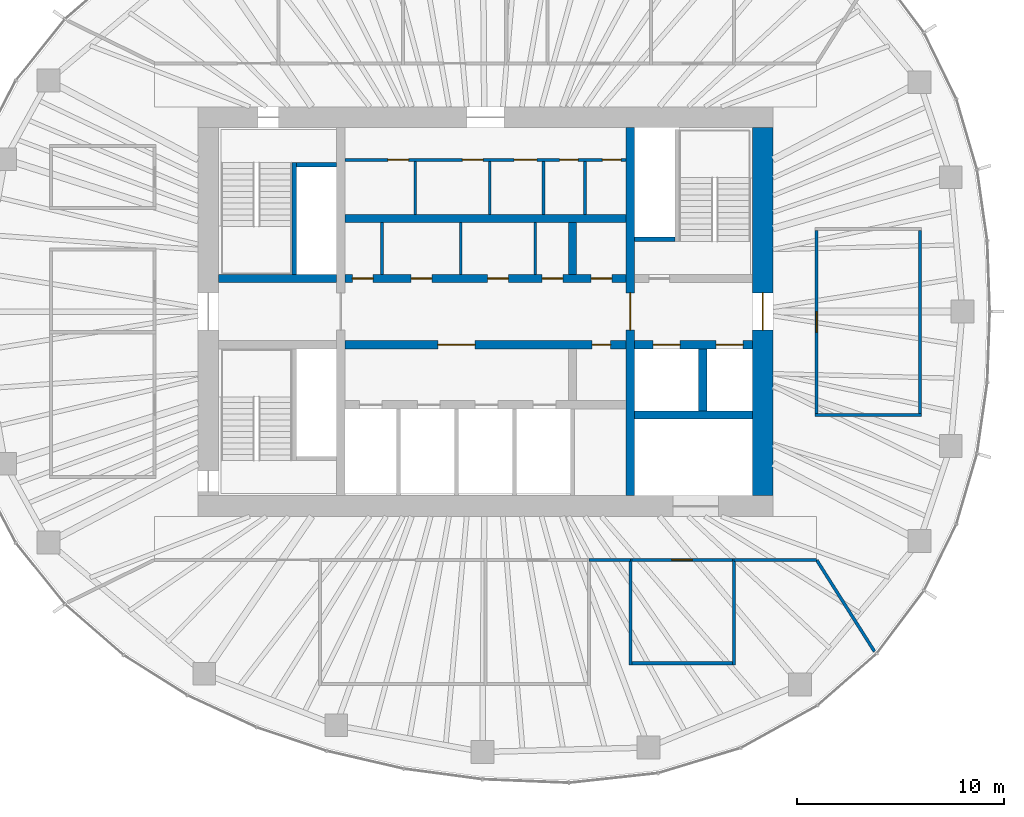
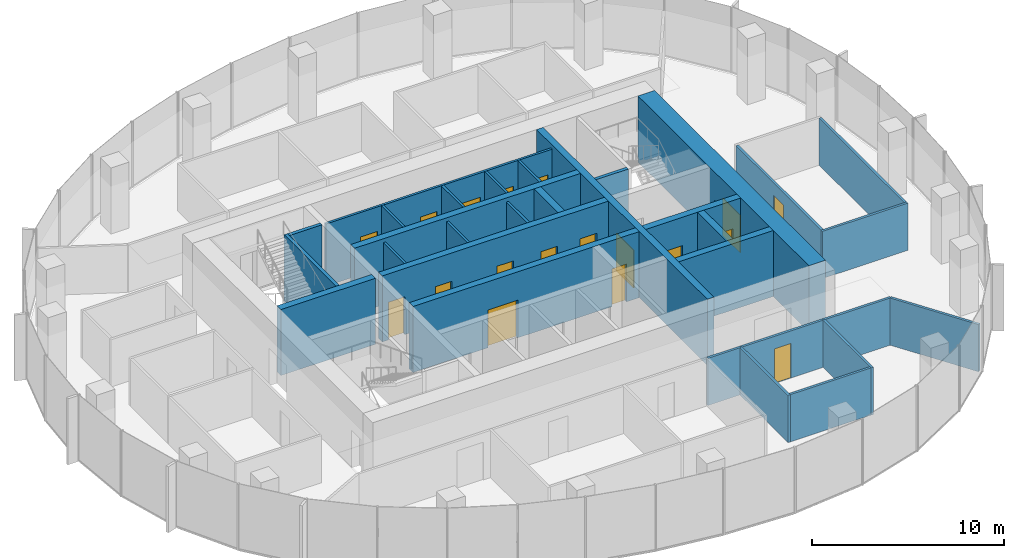
# One storey, part 9 of 11: 31 walls, 18 doors, 18 openings.
"""IFC4 building model written with IfcOpenShell, lengths in metres."""

from ifc_helpers import new_model, si_unit, direction, frame, frame_2d, origin, place, context, subcontext, project, spatial, rectangle, extrude, material, layer, layer_set, type_object, element, fill, save


model = new_model("IFC4")

# Units and contexts
model_context = context("Model", 3, precision=1e-05, world=origin(), true_north=direction((0.0, 1.0)))
body_context = subcontext(model_context, "Body", "Model", "MODEL_VIEW")
ifc_project = project(units=[si_unit("LENGTHUNIT", "METRE"), si_unit("AREAUNIT", "SQUARE_METRE"), si_unit("VOLUMEUNIT", "CUBIC_METRE"), si_unit("PLANEANGLEUNIT", "RADIAN"), si_unit("MASSUNIT", "GRAM", prefix="KILO")], contexts=[model_context])

# Site, building, storey
site_placement = place(None, origin())
site = spatial("IfcSite", under=ifc_project, at=site_placement, CompositionType="ELEMENT")
building_placement = place(site_placement, origin())
building = spatial("IfcBuilding", under=site, at=building_placement, Name="Ghaith Harvest Tower", CompositionType="ELEMENT")
storey_placement = place(building_placement, frame((0.0, 0.0, 279.60009765625)))
storey = spatial("IfcBuildingStorey", under=building, at=storey_placement, Name="L62", CompositionType="ELEMENT", Elevation=279.60009765625)

# Wall, openings, doors
ifc_material_1 = material(Name="Concrete blockwork, fair-faced", Category="masonry")
ifc_layer_1 = layer(ifc_material_1, 0.139892578125)
ifc_layer_set_1 = layer_set([ifc_layer_1], Name="CORE PARTITION 140")
wall_type_1 = type_object("IfcWallType", Name="CORE PARTITION 140", PredefinedType="PARTITIONING", material=ifc_layer_set_1)
wall_1_placement = place(storey_placement, frame((-6.800048828125, 7.330078125, 0.0), z_axis=(0.0, 0.0, 1.0), x_axis=(1.0, 0.0, 0.0)))
wall_1 = element("IfcWall", 1, at=wall_1_placement, inside=storey, type_object=wall_type_1, Name="Core partition L62", PredefinedType="PARTITIONING", context=body_context, shape_type="SweptSolid", body=[
    extrude(rectangle(XDim=13.60009765625, YDim=0.139892578125, at=frame_2d((6.800048828125, 0.0))), origin(), (0.0, 0.0, 1.0), 3.949951171875),
])
opening_1_placement = place(wall_1_placement, frame((2.080078125, 0.0, 0.0)))
opening_1 = element("IfcOpeningElement", 2, at=opening_1_placement, cuts=wall_1, Name="Opening 62-008", PredefinedType="OPENING", context=body_context, shape_type="SweptSolid", body=[
    extrude(rectangle(XDim=1.0, YDim=2.39990234375, at=frame_2d((0.5, 1.199951171875))), frame((0.0, 0.080078125, 0.0), z_axis=(0.0, -1.0, 0.0), x_axis=(1.0, 0.0, 0.0)), (0.0, 0.0, 1.0), 0.159912109375),
])
opening_2_placement = place(wall_1_placement, frame((5.679931640625, 0.0, 0.0)))
opening_2 = element("IfcOpeningElement", 3, at=opening_2_placement, cuts=wall_1, Name="Opening 62-009", PredefinedType="OPENING", context=body_context, shape_type="SweptSolid", body=[
    extrude(rectangle(XDim=1.0, YDim=2.39990234375, at=frame_2d((0.5, 1.199951171875))), frame((0.0, 0.080078125, 0.0), z_axis=(0.0, -1.0, 0.0), x_axis=(1.0, 0.0, 0.0)), (0.0, 0.0, 1.0), 0.159912109375),
])
opening_3_placement = place(wall_1_placement, frame((8.179931640625, 0.0, 0.0)))
opening_3 = element("IfcOpeningElement", 4, at=opening_3_placement, cuts=wall_1, Name="Opening 62-010", PredefinedType="OPENING", context=body_context, shape_type="SweptSolid", body=[
    extrude(rectangle(XDim=1.10009765625, YDim=2.39990234375, at=frame_2d((0.550048828125, 1.199951171875))), frame((0.0, 0.080078125, 0.0), z_axis=(0.0, -1.0, 0.0), x_axis=(1.0, 0.0, 0.0)), (0.0, 0.0, 1.0), 0.159912109375),
])
opening_4_placement = place(wall_1_placement, frame((10.3798828125, 0.0, 0.0)))
opening_4 = element("IfcOpeningElement", 5, at=opening_4_placement, cuts=wall_1, Name="Opening 62-011", PredefinedType="OPENING", context=body_context, shape_type="SweptSolid", body=[
    extrude(rectangle(XDim=0.89990234375, YDim=2.39990234375, at=frame_2d((0.449951171875, 1.199951171875))), frame((0.0, 0.080078125, 0.0), z_axis=(0.0, -1.0, 0.0), x_axis=(1.0, 0.0, 0.0)), (0.0, 0.0, 1.0), 0.159912109375),
])
opening_5_placement = place(wall_1_placement, frame((12.449951171875, 0.0, 0.0)))
opening_5 = element("IfcOpeningElement", 6, at=opening_5_placement, cuts=wall_1, Name="Opening 62-012", PredefinedType="OPENING", context=body_context, shape_type="SweptSolid", body=[
    extrude(rectangle(XDim=0.89990234375, YDim=2.39990234375, at=frame_2d((0.449951171875, 1.199951171875))), frame((0.0, 0.080078125, 0.0), z_axis=(0.0, -1.0, 0.0), x_axis=(1.0, 0.0, 0.0)), (0.0, 0.0, 1.0), 0.159912109375),
])
ifc_material_2 = material(Name="Steel fire door", Category="steel")
door_type_1 = type_object("IfcDoorType", Name="D3 FD90 1000x2400", OperationType="SINGLE_SWING_LEFT", PredefinedType="DOOR", material=ifc_material_2)
door_1_placement = place(opening_1_placement, origin())
door_1 = element("IfcDoor", 7, at=door_1_placement, inside=storey, type_object=door_type_1, Name="Male WC door", OperationType="SINGLE_SWING_LEFT", OverallHeight=2.39990234375, OverallWidth=1.0, PredefinedType="DOOR", context=body_context, shape_type="SweptSolid", body=[
    extrude(rectangle(XDim=1.0, YDim=2.39990234375, at=frame_2d((0.5, 1.199951171875))), frame((0.0, 0.02490234375, 0.0), z_axis=(0.0, -1.0, 0.0), x_axis=(1.0, 0.0, 0.0)), (0.0, 0.0, 1.0), 0.050048828125),
])
fill(opening_1, door_1)
door_2_placement = place(opening_2_placement, origin())
door_2 = element("IfcDoor", 8, at=door_2_placement, inside=storey, type_object=door_type_1, Name="Female WC door", OperationType="SINGLE_SWING_LEFT", OverallHeight=2.39990234375, OverallWidth=1.0, PredefinedType="DOOR", context=body_context, shape_type="SweptSolid", body=[
    extrude(rectangle(XDim=1.0, YDim=2.39990234375, at=frame_2d((0.5, 1.199951171875))), frame((0.0, 0.02490234375, 0.0), z_axis=(0.0, -1.0, 0.0), x_axis=(1.0, 0.0, 0.0)), (0.0, 0.0, 1.0), 0.050048828125),
])
fill(opening_2, door_2)
ifc_material_3 = material(Name="Steel fire door", Category="steel")
door_type_2 = type_object("IfcDoorType", Name="D5 FD90 900x2400", OperationType="SINGLE_SWING_LEFT", PredefinedType="DOOR", material=ifc_material_3)
door_3_placement = place(opening_4_placement, origin())
door_3 = element("IfcDoor", 9, at=door_3_placement, inside=storey, type_object=door_type_2, Name="Store door", OperationType="SINGLE_SWING_RIGHT", OverallHeight=2.39990234375, OverallWidth=0.89990234375, PredefinedType="DOOR", context=body_context, shape_type="SweptSolid", body=[
    extrude(rectangle(XDim=0.89990234375, YDim=2.39990234375, at=frame_2d((0.449951171875, 1.199951171875))), frame((0.0, 0.02490234375, 0.0), z_axis=(0.0, -1.0, 0.0), x_axis=(1.0, 0.0, 0.0)), (0.0, 0.0, 1.0), 0.050048828125),
])
fill(opening_4, door_3)
door_4_placement = place(opening_5_placement, origin())
door_4 = element("IfcDoor", 10, at=door_4_placement, inside=storey, type_object=door_type_2, Name="Cleaner's store door", OperationType="SINGLE_SWING_RIGHT", OverallHeight=2.39990234375, OverallWidth=0.89990234375, PredefinedType="DOOR", context=body_context, shape_type="SweptSolid", body=[
    extrude(rectangle(XDim=0.89990234375, YDim=2.39990234375, at=frame_2d((0.449951171875, 1.199951171875))), frame((0.0, 0.02490234375, 0.0), z_axis=(0.0, -1.0, 0.0), x_axis=(1.0, 0.0, 0.0)), (0.0, 0.0, 1.0), 0.050048828125),
])
fill(opening_5, door_4)
ifc_material_4 = material(Name="Steel fire door", Category="steel")
door_type_3 = type_object("IfcDoorType", Name="D9 FD90 1100x2400", OperationType="SINGLE_SWING_LEFT", PredefinedType="DOOR", material=ifc_material_4)
door_5_placement = place(opening_3_placement, origin())
door_5 = element("IfcDoor", 11, at=door_5_placement, inside=storey, type_object=door_type_3, Name="Accessible WC door", OperationType="SINGLE_SWING_RIGHT", OverallHeight=2.39990234375, OverallWidth=1.10009765625, PredefinedType="DOOR", context=body_context, shape_type="SweptSolid", body=[
    extrude(rectangle(XDim=1.10009765625, YDim=2.39990234375, at=frame_2d((0.550048828125, 1.199951171875))), frame((0.0, 0.02490234375, 0.0), z_axis=(0.0, -1.0, 0.0), x_axis=(1.0, 0.0, 0.0)), (0.0, 0.0, 1.0), 0.050048828125),
])
fill(opening_3, door_5)

# Walls
for number, where, z_axis, x_axis, name in (
    (12, (-3.39990234375, 4.699951171875, 0.0), (0.0, 0.0, 1.0), (0.0, 1.0, 0.0), "Core partition L62"),
    (13, (0.199951171875, 4.699951171875, 0.0), (0.0, 0.0, 1.0), (0.0, 1.0, 0.0), "Core partition L62"),
    (14, (2.800048828125, 4.699951171875, 0.0), (0.0, 0.0, 1.0), (0.0, 1.0, 0.0), "Core partition L62"),
    (15, (4.800048828125, 4.699951171875, 0.0), (0.0, 0.0, 1.0), (0.0, 1.0, 0.0), "Core partition L62"),
):
    element("IfcWall", number, at=place(storey_placement, frame(where, z_axis=z_axis, x_axis=x_axis)), inside=storey, type_object=wall_type_1, Name=name, PredefinedType="PARTITIONING", context=body_context, shape_type="SweptSolid", body=[
        extrude(rectangle(XDim=2.56005859375, YDim=0.139892578125, at=frame_2d((1.280029296875, 0.0))), origin(), (0.0, 0.0, 1.0), 3.949951171875),
    ])
for number, where, z_axis, x_axis, name in (
    (16, (-5.0, 1.800048828125, 0.0), (0.0, 0.0, 1.0), (0.0, 1.0, 0.0), "Core partition L62"),
    (17, (-1.199951171875, 1.800048828125, 0.0), (0.0, 0.0, 1.0), (0.0, 1.0, 0.0), "Core partition L62"),
    (18, (2.39990234375, 1.800048828125, 0.0), (0.0, 0.0, 1.0), (0.0, 1.0, 0.0), "Core partition L62"),
):
    element("IfcWall", number, at=place(storey_placement, frame(where, z_axis=z_axis, x_axis=x_axis)), inside=storey, type_object=wall_type_1, Name=name, PredefinedType="PARTITIONING", context=body_context, shape_type="SweptSolid", body=[
        extrude(rectangle(XDim=2.5, YDim=0.139892578125, at=frame_2d((1.25, 0.0))), origin(), (0.0, 0.0, 1.0), 3.949951171875),
    ])

# Wall, opening, door
ifc_material_5 = material(Name="Concrete C50/60", Category="concrete")
ifc_layer_2 = layer(ifc_material_5, 1.0)
ifc_layer_set_2 = layer_set([ifc_layer_2], Name="CORE WALL CW1000")
wall_type_2 = type_object("IfcWallType", Name="CORE WALL CW1000", PredefinedType="SHEAR", material=ifc_layer_set_2)
wall_2_placement = place(storey_placement, frame((13.39990234375, -8.89990234375, 0.0), z_axis=(0.0, 0.0, 1.0), x_axis=(0.0, 1.0, 0.0)))
wall_2 = element("IfcWall", 19, at=wall_2_placement, inside=storey, type_object=wall_type_2, Name="Core wall E L62", PredefinedType="SHEAR", context=body_context, shape_type="SweptSolid", body=[
    extrude(rectangle(XDim=17.7998046875, YDim=1.0, at=frame_2d((8.89990234375, 0.0))), origin(), (0.0, 0.0, 1.0), 4.199951171875),
])
opening_6_placement = place(wall_2_placement, frame((8.0, 0.0, 0.0)))
opening_6 = element("IfcOpeningElement", 20, at=opening_6_placement, cuts=wall_2, Name="Opening 62-002", PredefinedType="OPENING", context=body_context, shape_type="SweptSolid", body=[
    extrude(rectangle(XDim=1.800048828125, YDim=2.39990234375, at=frame_2d((0.89990234375, 1.199951171875))), frame((0.0, 0.510009765625, 0.0), z_axis=(0.0, -1.0, 0.0), x_axis=(1.0, 0.0, 0.0)), (0.0, 0.0, 1.0), 1.02001953125),
])
ifc_material_6 = material(Name="Steel fire door", Category="steel")
door_type_4 = type_object("IfcDoorType", Name="D4 FD90 PAIR 1800x2400", OperationType="DOUBLE_DOOR_SINGLE_SWING", PredefinedType="DOOR", material=ifc_material_6)
door_6_placement = place(opening_6_placement, origin())
door_6 = element("IfcDoor", 21, at=door_6_placement, inside=storey, type_object=door_type_4, Name="Fire-fighting lobby doors", OperationType="DOUBLE_DOOR_SINGLE_SWING", OverallHeight=2.39990234375, OverallWidth=1.800048828125, PredefinedType="DOOR", context=body_context, shape_type="SweptSolid", body=[
    extrude(rectangle(XDim=1.800048828125, YDim=2.39990234375, at=frame_2d((0.89990234375, 1.199951171875))), frame((0.0, 0.02490234375, 0.0), z_axis=(0.0, -1.0, 0.0), x_axis=(1.0, 0.0, 0.0)), (0.0, 0.0, 1.0), 0.050048828125),
])
fill(opening_6, door_6)

# Walls
ifc_material_7 = material(Name="Gypsum board on steel studs", Category="steel")
ifc_layer_3 = layer(ifc_material_7, 0.14990234375)
ifc_layer_set_3 = layer_set([ifc_layer_3], Name="PARTITION 150")
wall_type_3 = type_object("IfcWallType", Name="PARTITION 150", PredefinedType="PARTITIONING", material=ifc_layer_set_3)
for number, where, z_axis, x_axis, name in (
    (22, (7.0, -11.925048828125, 0.0), (0.0, 0.0, 1.0), (0.0, -1.0, 0.0), "Partition L62 row S2 cross wall 1"),
    (23, (12.0, -11.925048828125, 0.0), (0.0, 0.0, 1.0), (0.0, -1.0, 0.0), "Partition L62 row S2 cross wall 2"),
):
    element("IfcWall", number, at=place(storey_placement, frame(where, z_axis=z_axis, x_axis=x_axis)), inside=storey, type_object=wall_type_3, Name=name, PredefinedType="PARTITIONING", context=body_context, shape_type="SweptSolid", body=[
        extrude(rectangle(XDim=5.14990234375, YDim=0.14990234375, at=frame_2d((2.574951171875, 0.0))), origin(), (0.0, 0.0, 1.0), 3.0),
    ])

# Wall, opening, door
wall_3_placement = place(storey_placement, frame((7.074951171875, -12.0, 0.0), z_axis=(0.0, 0.0, 1.0), x_axis=(1.0, 0.0, 0.0)))
wall_3 = element("IfcWall", 24, at=wall_3_placement, inside=storey, type_object=wall_type_3, Name="Partition L62-03", PredefinedType="PARTITIONING", context=body_context, shape_type="SweptSolid", body=[
    extrude(rectangle(XDim=4.85009765625, YDim=0.14990234375, at=frame_2d((2.425048828125, 0.0))), origin(), (0.0, 0.0, 1.0), 3.0),
])
opening_7_placement = place(wall_3_placement, frame((1.925048828125, 0.0, 0.0)))
opening_7 = element("IfcOpeningElement", 25, at=opening_7_placement, cuts=wall_3, Name="Opening 62-030", PredefinedType="OPENING", context=body_context, shape_type="SweptSolid", body=[
    extrude(rectangle(XDim=1.0, YDim=2.199951171875, at=frame_2d((0.5, 1.10009765625))), frame((0.0, 0.0849609375, 0.0), z_axis=(0.0, -1.0, 0.0), x_axis=(1.0, 0.0, 0.0)), (0.0, 0.0, 1.0), 0.169921875),
])
ifc_material_8 = material(Name="Timber door", Category="wood")
door_type_5 = type_object("IfcDoorType", Name="D1 SINGLE 1000x2200", OperationType="SINGLE_SWING_LEFT", PredefinedType="DOOR", material=ifc_material_8)
door_7_placement = place(opening_7_placement, origin())
door_7 = element("IfcDoor", 26, at=door_7_placement, inside=storey, type_object=door_type_5, Name="Store door", OperationType="SINGLE_SWING_LEFT", OverallHeight=2.199951171875, OverallWidth=1.0, PredefinedType="DOOR", context=body_context, shape_type="SweptSolid", body=[
    extrude(rectangle(XDim=1.0, YDim=2.199951171875, at=frame_2d((0.5, 1.10009765625))), frame((0.0, 0.02490234375, 0.0), z_axis=(0.0, -1.0, 0.0), x_axis=(1.0, 0.0, 0.0)), (0.0, 0.0, 1.0), 0.050048828125),
])
fill(opening_7, door_7)

# Walls
wall_4_placement = place(storey_placement, frame((7.074951171875, -17.0, 0.0), z_axis=(0.0, 0.0, 1.0), x_axis=(1.0, 0.0, 0.0)))
element("IfcWall", 27, at=wall_4_placement, inside=storey, type_object=wall_type_3, Name="Partition L62-03", PredefinedType="PARTITIONING", context=body_context, shape_type="SweptSolid", body=[
    extrude(rectangle(XDim=4.85009765625, YDim=0.14990234375, at=frame_2d((2.425048828125, 0.0))), origin(), (0.0, 0.0, 1.0), 3.0),
])
wall_5_placement = place(storey_placement, frame((15.925048828125, -5.0, 0.0), z_axis=(0.0, 0.0, 1.0), x_axis=(1.0, 0.0, 0.0)))
element("IfcWall", 28, at=wall_5_placement, inside=storey, type_object=wall_type_3, Name="Partition L62 row E6 cross wall 1", PredefinedType="PARTITIONING", context=body_context, shape_type="SweptSolid", body=[
    extrude(rectangle(XDim=5.14990234375, YDim=0.14990234375, at=frame_2d((2.574951171875, 0.0))), origin(), (0.0, 0.0, 1.0), 3.0),
])

# Wall, opening, door
wall_6_placement = place(storey_placement, frame((16.0, -4.925048828125, 0.0), z_axis=(0.0, 0.0, 1.0), x_axis=(0.0, 1.0, 0.0)))
wall_6 = element("IfcWall", 29, at=wall_6_placement, inside=storey, type_object=wall_type_3, Name="Partition L62-10", PredefinedType="PARTITIONING", context=body_context, shape_type="SweptSolid", body=[
    extrude(rectangle(XDim=8.85009765625, YDim=0.14990234375, at=frame_2d((4.425048828125, 0.0))), origin(), (0.0, 0.0, 1.0), 3.0),
])
opening_8_placement = place(wall_6_placement, frame((3.925048828125, 0.0, 0.0)))
opening_8 = element("IfcOpeningElement", 30, at=opening_8_placement, cuts=wall_6, Name="Opening 62-037", PredefinedType="OPENING", context=body_context, shape_type="SweptSolid", body=[
    extrude(rectangle(XDim=1.0, YDim=2.199951171875, at=frame_2d((0.5, 1.10009765625))), frame((0.0, 0.0849609375, 0.0), z_axis=(0.0, -1.0, 0.0), x_axis=(1.0, 0.0, 0.0)), (0.0, 0.0, 1.0), 0.169921875),
])
door_8_placement = place(opening_8_placement, origin())
door_8 = element("IfcDoor", 31, at=door_8_placement, inside=storey, type_object=door_type_5, Name="Seed cleaning room door", OperationType="SINGLE_SWING_LEFT", OverallHeight=2.199951171875, OverallWidth=1.0, PredefinedType="DOOR", context=body_context, shape_type="SweptSolid", body=[
    extrude(rectangle(XDim=1.0, YDim=2.199951171875, at=frame_2d((0.5, 1.10009765625))), frame((0.0, 0.02490234375, 0.0), z_axis=(0.0, -1.0, 0.0), x_axis=(1.0, 0.0, 0.0)), (0.0, 0.0, 1.0), 0.050048828125),
])
fill(opening_8, door_8)

# Walls
wall_7_placement = place(storey_placement, frame((21.0, -4.925048828125, 0.0), z_axis=(0.0, 0.0, 1.0), x_axis=(0.0, 1.0, 0.0)))
element("IfcWall", 32, at=wall_7_placement, inside=storey, type_object=wall_type_3, Name="Partition L62-10", PredefinedType="PARTITIONING", context=body_context, shape_type="SweptSolid", body=[
    extrude(rectangle(XDim=8.85009765625, YDim=0.14990234375, at=frame_2d((4.425048828125, 0.0))), origin(), (0.0, 0.0, 1.0), 3.0),
])
wall_8_placement = place(storey_placement, frame((16.0107421875, -12.016845703125, 0.0), z_axis=(0.0, 0.0, 1.0), x_axis=(0.53415837449, -0.845384427916, 0.0)))
element("IfcWall", 33, at=wall_8_placement, inside=storey, type_object=wall_type_3, Name="Partition L62 zone division", PredefinedType="PARTITIONING", context=body_context, shape_type="SweptSolid", body=[
    extrude(rectangle(XDim=5.220458984375, YDim=0.14990234375, at=frame_2d((2.6103515625, 0.0))), origin(), (0.0, 0.0, 1.0), 3.0),
])
wall_9_placement = place(storey_placement, frame((5.0, -12.0, 0.0), z_axis=(0.0, 0.0, 1.0), x_axis=(1.0, 0.0, 0.0)))
element("IfcWall", 34, at=wall_9_placement, inside=storey, type_object=wall_type_3, Name="Partition L62 zone enclosure", PredefinedType="PARTITIONING", context=body_context, shape_type="SweptSolid", body=[
    extrude(rectangle(XDim=2.0, YDim=0.14990234375, at=frame_2d((1.0, 0.0))), origin(), (0.0, 0.0, 1.0), 3.0),
])
wall_10_placement = place(storey_placement, frame((12.0, -12.0, 0.0), z_axis=(0.0, 0.0, 1.0), x_axis=(1.0, 0.0, 0.0)))
element("IfcWall", 35, at=wall_10_placement, inside=storey, type_object=wall_type_3, Name="Partition L62 zone enclosure", PredefinedType="PARTITIONING", context=body_context, shape_type="SweptSolid", body=[
    extrude(rectangle(XDim=4.0, YDim=0.14990234375, at=frame_2d((2.0, 0.0))), origin(), (0.0, 0.0, 1.0), 3.0),
])

# Wall, opening, door
ifc_material_9 = material(Name="Concrete C70/85", Category="concrete")
ifc_layer_4 = layer(ifc_material_9, 0.39990234375)
ifc_layer_set_4 = layer_set([ifc_layer_4], Name="SHAFT WALL 400")
wall_type_4 = type_object("IfcWallType", Name="SHAFT WALL 400", PredefinedType="SHEAR", material=ifc_layer_set_4)
wall_11_placement = place(storey_placement, frame((7.0, -8.89990234375, 0.0), z_axis=(0.0, 0.0, 1.0), x_axis=(0.0, 1.0, 0.0)))
wall_11 = element("IfcWall", 36, at=wall_11_placement, inside=storey, type_object=wall_type_4, Name="Shaft wall W7E L62", PredefinedType="SHEAR", context=body_context, shape_type="SweptSolid", body=[
    extrude(rectangle(XDim=17.7998046875, YDim=0.39990234375, at=frame_2d((8.89990234375, 0.0))), origin(), (0.0, 0.0, 1.0), 4.199951171875),
])
opening_9_placement = place(wall_11_placement, frame((8.0, 0.0, 0.0)))
opening_9 = element("IfcOpeningElement", 37, at=opening_9_placement, cuts=wall_11, Name="Opening 62-004", PredefinedType="OPENING", context=body_context, shape_type="SweptSolid", body=[
    extrude(rectangle(XDim=1.800048828125, YDim=2.39990234375, at=frame_2d((0.89990234375, 1.199951171875))), frame((0.0, 0.2099609375, 0.0), z_axis=(0.0, -1.0, 0.0), x_axis=(1.0, 0.0, 0.0)), (0.0, 0.0, 1.0), 0.419921875),
])
door_9_placement = place(opening_9_placement, origin())
door_9 = element("IfcDoor", 38, at=door_9_placement, inside=storey, type_object=door_type_4, Name="Lift lobby doors, east", OperationType="DOUBLE_DOOR_SINGLE_SWING", OverallHeight=2.39990234375, OverallWidth=1.800048828125, PredefinedType="DOOR", context=body_context, shape_type="SweptSolid", body=[
    extrude(rectangle(XDim=1.800048828125, YDim=2.39990234375, at=frame_2d((0.89990234375, 1.199951171875))), frame((0.0, 0.02490234375, 0.0), z_axis=(0.0, -1.0, 0.0), x_axis=(1.0, 0.0, 0.0)), (0.0, 0.0, 1.0), 0.050048828125),
])
fill(opening_9, door_9)

# Wall, openings, doors
wall_12_placement = place(storey_placement, frame((-6.800048828125, 1.60009765625, 0.0), z_axis=(0.0, 0.0, 1.0), x_axis=(1.0, 0.0, 0.0)))
wall_12 = element("IfcWall", 39, at=wall_12_placement, inside=storey, type_object=wall_type_4, Name="Shaft wall LN L62", PredefinedType="SHEAR", context=body_context, shape_type="SweptSolid", body=[
    extrude(rectangle(XDim=13.60009765625, YDim=0.39990234375, at=frame_2d((6.800048828125, 0.0))), origin(), (0.0, 0.0, 1.0), 4.199951171875),
])
opening_10_placement = place(wall_12_placement, frame((0.364990234375, 0.0, 0.0)))
opening_10 = element("IfcOpeningElement", 40, at=opening_10_placement, cuts=wall_12, Name="Opening 62-013", PredefinedType="OPENING", context=body_context, shape_type="SweptSolid", body=[
    extrude(rectangle(XDim=1.0, YDim=2.39990234375, at=frame_2d((0.5, 1.199951171875))), frame((0.0, 0.2099609375, 0.0), z_axis=(0.0, -1.0, 0.0), x_axis=(1.0, 0.0, 0.0)), (0.0, 0.0, 1.0), 0.419921875),
])
opening_11_placement = place(wall_12_placement, frame((3.199951171875, 0.0, 0.0)))
opening_11 = element("IfcOpeningElement", 41, at=opening_11_placement, cuts=wall_12, Name="Opening 62-014", PredefinedType="OPENING", context=body_context, shape_type="SweptSolid", body=[
    extrude(rectangle(XDim=1.0, YDim=2.39990234375, at=frame_2d((0.5, 1.199951171875))), frame((0.0, 0.2099609375, 0.0), z_axis=(0.0, -1.0, 0.0), x_axis=(1.0, 0.0, 0.0)), (0.0, 0.0, 1.0), 0.419921875),
])
opening_12_placement = place(wall_12_placement, frame((6.89990234375, 0.0, 0.0)))
opening_12 = element("IfcOpeningElement", 42, at=opening_12_placement, cuts=wall_12, Name="Opening 62-015", PredefinedType="OPENING", context=body_context, shape_type="SweptSolid", body=[
    extrude(rectangle(XDim=1.0, YDim=2.39990234375, at=frame_2d((0.5, 1.199951171875))), frame((0.0, 0.2099609375, 0.0), z_axis=(0.0, -1.0, 0.0), x_axis=(1.0, 0.0, 0.0)), (0.0, 0.0, 1.0), 0.419921875),
])
opening_13_placement = place(wall_12_placement, frame((9.534912109375, 0.0, 0.0)))
opening_13 = element("IfcOpeningElement", 43, at=opening_13_placement, cuts=wall_12, Name="Opening 62-016", PredefinedType="OPENING", context=body_context, shape_type="SweptSolid", body=[
    extrude(rectangle(XDim=1.0, YDim=2.39990234375, at=frame_2d((0.5, 1.199951171875))), frame((0.0, 0.2099609375, 0.0), z_axis=(0.0, -1.0, 0.0), x_axis=(1.0, 0.0, 0.0)), (0.0, 0.0, 1.0), 0.419921875),
])
opening_14_placement = place(wall_12_placement, frame((11.89990234375, 0.0, 0.0)))
opening_14 = element("IfcOpeningElement", 44, at=opening_14_placement, cuts=wall_12, Name="Opening 62-017", PredefinedType="OPENING", context=body_context, shape_type="SweptSolid", body=[
    extrude(rectangle(XDim=1.0, YDim=2.39990234375, at=frame_2d((0.5, 1.199951171875))), frame((0.0, 0.2099609375, 0.0), z_axis=(0.0, -1.0, 0.0), x_axis=(1.0, 0.0, 0.0)), (0.0, 0.0, 1.0), 0.419921875),
])
door_10_placement = place(opening_10_placement, origin())
door_10 = element("IfcDoor", 45, at=door_10_placement, inside=storey, type_object=door_type_1, Name="Electrical room door", OperationType="SINGLE_SWING_LEFT", OverallHeight=2.39990234375, OverallWidth=1.0, PredefinedType="DOOR", context=body_context, shape_type="SweptSolid", body=[
    extrude(rectangle(XDim=1.0, YDim=2.39990234375, at=frame_2d((0.5, 1.199951171875))), frame((0.0, 0.02490234375, 0.0), z_axis=(0.0, -1.0, 0.0), x_axis=(1.0, 0.0, 0.0)), (0.0, 0.0, 1.0), 0.050048828125),
])
fill(opening_10, door_10)
door_11_placement = place(opening_11_placement, origin())
door_11 = element("IfcDoor", 46, at=door_11_placement, inside=storey, type_object=door_type_1, Name="Tea point door", OperationType="SINGLE_SWING_LEFT", OverallHeight=2.39990234375, OverallWidth=1.0, PredefinedType="DOOR", context=body_context, shape_type="SweptSolid", body=[
    extrude(rectangle(XDim=1.0, YDim=2.39990234375, at=frame_2d((0.5, 1.199951171875))), frame((0.0, 0.02490234375, 0.0), z_axis=(0.0, -1.0, 0.0), x_axis=(1.0, 0.0, 0.0)), (0.0, 0.0, 1.0), 0.050048828125),
])
fill(opening_11, door_11)
door_12_placement = place(opening_12_placement, origin())
door_12 = element("IfcDoor", 47, at=door_12_placement, inside=storey, type_object=door_type_1, Name="IT equipment room door", OperationType="SINGLE_SWING_RIGHT", OverallHeight=2.39990234375, OverallWidth=1.0, PredefinedType="DOOR", context=body_context, shape_type="SweptSolid", body=[
    extrude(rectangle(XDim=1.0, YDim=2.39990234375, at=frame_2d((0.5, 1.199951171875))), frame((0.0, 0.02490234375, 0.0), z_axis=(0.0, -1.0, 0.0), x_axis=(1.0, 0.0, 0.0)), (0.0, 0.0, 1.0), 0.050048828125),
])
fill(opening_12, door_12)
door_13_placement = place(opening_13_placement, origin())
door_13 = element("IfcDoor", 48, at=door_13_placement, inside=storey, type_object=door_type_1, Name="Staff WC door", OperationType="SINGLE_SWING_RIGHT", OverallHeight=2.39990234375, OverallWidth=1.0, PredefinedType="DOOR", context=body_context, shape_type="SweptSolid", body=[
    extrude(rectangle(XDim=1.0, YDim=2.39990234375, at=frame_2d((0.5, 1.199951171875))), frame((0.0, 0.02490234375, 0.0), z_axis=(0.0, -1.0, 0.0), x_axis=(1.0, 0.0, 0.0)), (0.0, 0.0, 1.0), 0.050048828125),
])
fill(opening_13, door_13)
door_14_placement = place(opening_14_placement, origin())
door_14 = element("IfcDoor", 49, at=door_14_placement, inside=storey, type_object=door_type_1, Name="Staff WC door", OperationType="SINGLE_SWING_RIGHT", OverallHeight=2.39990234375, OverallWidth=1.0, PredefinedType="DOOR", context=body_context, shape_type="SweptSolid", body=[
    extrude(rectangle(XDim=1.0, YDim=2.39990234375, at=frame_2d((0.5, 1.199951171875))), frame((0.0, 0.02490234375, 0.0), z_axis=(0.0, -1.0, 0.0), x_axis=(1.0, 0.0, 0.0)), (0.0, 0.0, 1.0), 0.050048828125),
])
fill(opening_14, door_14)

wall_13_placement = place(storey_placement, frame((-6.800048828125, -1.60009765625, 0.0), z_axis=(0.0, 0.0, 1.0), x_axis=(1.0, 0.0, 0.0)))
wall_13 = element("IfcWall", 50, at=wall_13_placement, inside=storey, type_object=wall_type_4, Name="Shaft wall LS L62", PredefinedType="SHEAR", context=body_context, shape_type="SweptSolid", body=[
    extrude(rectangle(XDim=13.60009765625, YDim=0.39990234375, at=frame_2d((6.800048828125, 0.0))), origin(), (0.0, 0.0, 1.0), 4.199951171875),
])
opening_15_placement = place(wall_13_placement, frame((11.949951171875, 0.0, 0.0)))
opening_15 = element("IfcOpeningElement", 51, at=opening_15_placement, cuts=wall_13, Name="Opening 62-018", PredefinedType="OPENING", context=body_context, shape_type="SweptSolid", body=[
    extrude(rectangle(XDim=0.89990234375, YDim=2.39990234375, at=frame_2d((0.449951171875, 1.199951171875))), frame((0.0, 0.2099609375, 0.0), z_axis=(0.0, -1.0, 0.0), x_axis=(1.0, 0.0, 0.0)), (0.0, 0.0, 1.0), 0.419921875),
])
opening_16_placement = place(wall_13_placement, frame((4.5, 0.0, 0.0)))
opening_16 = element("IfcOpeningElement", 52, at=opening_16_placement, cuts=wall_13, Name="Opening 62-019", PredefinedType="OPENING", context=body_context, shape_type="SweptSolid", body=[
    extrude(rectangle(XDim=1.800048828125, YDim=2.39990234375, at=frame_2d((0.89990234375, 1.199951171875))), frame((0.0, 0.2099609375, 0.0), z_axis=(0.0, -1.0, 0.0), x_axis=(1.0, 0.0, 0.0)), (0.0, 0.0, 1.0), 0.419921875),
])
door_15_placement = place(opening_16_placement, origin())
door_15 = element("IfcDoor", 53, at=door_15_placement, inside=storey, type_object=door_type_4, Name="Lift lobby doors, upper-zone bank", OperationType="DOUBLE_DOOR_SINGLE_SWING", OverallHeight=2.39990234375, OverallWidth=1.800048828125, PredefinedType="DOOR", context=body_context, shape_type="SweptSolid", body=[
    extrude(rectangle(XDim=1.800048828125, YDim=2.39990234375, at=frame_2d((0.89990234375, 1.199951171875))), frame((0.0, 0.02490234375, 0.0), z_axis=(0.0, -1.0, 0.0), x_axis=(1.0, 0.0, 0.0)), (0.0, 0.0, 1.0), 0.050048828125),
])
fill(opening_16, door_15)
door_16_placement = place(opening_15_placement, origin())
door_16 = element("IfcDoor", 54, at=door_16_placement, inside=storey, type_object=door_type_2, Name="Lobby store door", OperationType="SINGLE_SWING_RIGHT", OverallHeight=2.39990234375, OverallWidth=0.89990234375, PredefinedType="DOOR", context=body_context, shape_type="SweptSolid", body=[
    extrude(rectangle(XDim=0.89990234375, YDim=2.39990234375, at=frame_2d((0.449951171875, 1.199951171875))), frame((0.0, 0.02490234375, 0.0), z_axis=(0.0, -1.0, 0.0), x_axis=(1.0, 0.0, 0.0)), (0.0, 0.0, 1.0), 0.050048828125),
])
fill(opening_15, door_16)

# Walls
wall_14_placement = place(storey_placement, frame((-6.800048828125, 4.5, 0.0), z_axis=(0.0, 0.0, 1.0), x_axis=(1.0, 0.0, 0.0)))
element("IfcWall", 55, at=wall_14_placement, inside=storey, type_object=wall_type_4, Name="Shaft wall BN L62", PredefinedType="SHEAR", context=body_context, shape_type="SweptSolid", body=[
    extrude(rectangle(XDim=13.60009765625, YDim=0.39990234375, at=frame_2d((6.800048828125, 0.0))), origin(), (0.0, 0.0, 1.0), 4.199951171875),
])
wall_15_placement = place(storey_placement, frame((-12.89990234375, 1.60009765625, 0.0), z_axis=(0.0, 0.0, 1.0), x_axis=(1.0, 0.0, 0.0)))
element("IfcWall", 56, at=wall_15_placement, inside=storey, type_object=wall_type_4, Name="Shaft wall WN L62", PredefinedType="SHEAR", context=body_context, shape_type="SweptSolid", body=[
    extrude(rectangle(XDim=5.699951171875, YDim=0.39990234375, at=frame_2d((2.85009765625, 0.0))), origin(), (0.0, 0.0, 1.0), 4.199951171875),
])

# Wall, openings, doors
wall_16_placement = place(storey_placement, frame((7.199951171875, -1.60009765625, 0.0), z_axis=(0.0, 0.0, 1.0), x_axis=(1.0, 0.0, 0.0)))
wall_16 = element("IfcWall", 57, at=wall_16_placement, inside=storey, type_object=wall_type_4, Name="Shaft wall ES L62", PredefinedType="SHEAR", context=body_context, shape_type="SweptSolid", body=[
    extrude(rectangle(XDim=5.699951171875, YDim=0.39990234375, at=frame_2d((2.85009765625, 0.0))), origin(), (0.0, 0.0, 1.0), 4.199951171875),
])
opening_17_placement = place(wall_16_placement, frame((0.89990234375, 0.0, 0.0)))
opening_17 = element("IfcOpeningElement", 58, at=opening_17_placement, cuts=wall_16, Name="Opening 62-025", PredefinedType="OPENING", context=body_context, shape_type="SweptSolid", body=[
    extrude(rectangle(XDim=1.300048828125, YDim=2.39990234375, at=frame_2d((0.64990234375, 1.199951171875))), frame((0.0, 0.2099609375, 0.0), z_axis=(0.0, -1.0, 0.0), x_axis=(1.0, 0.0, 0.0)), (0.0, 0.0, 1.0), 0.419921875),
])
opening_18_placement = place(wall_16_placement, frame((3.949951171875, 0.0, 0.0)))
opening_18 = element("IfcOpeningElement", 59, at=opening_18_placement, cuts=wall_16, Name="Opening 62-026", PredefinedType="OPENING", context=body_context, shape_type="SweptSolid", body=[
    extrude(rectangle(XDim=1.300048828125, YDim=2.39990234375, at=frame_2d((0.64990234375, 1.199951171875))), frame((0.0, 0.2099609375, 0.0), z_axis=(0.0, -1.0, 0.0), x_axis=(1.0, 0.0, 0.0)), (0.0, 0.0, 1.0), 0.419921875),
])
ifc_material_10 = material(Name="Steel fire door", Category="steel")
door_type_6 = type_object("IfcDoorType", Name="LD2 LANDING 1300x2400", OperationType="DOUBLE_DOOR_SLIDING", PredefinedType="DOOR", material=ifc_material_10)
door_17_placement = place(opening_17_placement, origin())
door_17 = element("IfcDoor", 60, at=door_17_placement, inside=storey, type_object=door_type_6, Name="Landing door, fire service lift FL1", OperationType="DOUBLE_DOOR_SLIDING", OverallHeight=2.39990234375, OverallWidth=1.300048828125, PredefinedType="DOOR", context=body_context, shape_type="SweptSolid", body=[
    extrude(rectangle(XDim=1.300048828125, YDim=2.39990234375, at=frame_2d((0.64990234375, 1.199951171875))), frame((0.0, 0.02490234375, 0.0), z_axis=(0.0, -1.0, 0.0), x_axis=(1.0, 0.0, 0.0)), (0.0, 0.0, 1.0), 0.050048828125),
])
fill(opening_17, door_17)
door_18_placement = place(opening_18_placement, origin())
door_18 = element("IfcDoor", 61, at=door_18_placement, inside=storey, type_object=door_type_6, Name="Landing door, fire service lift FL2", OperationType="DOUBLE_DOOR_SLIDING", OverallHeight=2.39990234375, OverallWidth=1.300048828125, PredefinedType="DOOR", context=body_context, shape_type="SweptSolid", body=[
    extrude(rectangle(XDim=1.300048828125, YDim=2.39990234375, at=frame_2d((0.64990234375, 1.199951171875))), frame((0.0, 0.02490234375, 0.0), z_axis=(0.0, -1.0, 0.0), x_axis=(1.0, 0.0, 0.0)), (0.0, 0.0, 1.0), 0.050048828125),
])
fill(opening_18, door_18)

# Walls
wall_17_placement = place(storey_placement, frame((10.5, -4.800048828125, 0.0), z_axis=(0.0, 0.0, 1.0), x_axis=(0.0, 1.0, 0.0)))
element("IfcWall", 62, at=wall_17_placement, inside=storey, type_object=wall_type_4, Name="Shaft wall FLD L62", PredefinedType="SHEAR", context=body_context, shape_type="SweptSolid", body=[
    extrude(rectangle(XDim=3.0, YDim=0.39990234375, at=frame_2d((1.5, 0.0))), origin(), (0.0, 0.0, 1.0), 4.199951171875),
])
wall_18_placement = place(storey_placement, frame((7.199951171875, -5.0, 0.0), z_axis=(0.0, 0.0, 1.0), x_axis=(1.0, 0.0, 0.0)))
element("IfcWall", 63, at=wall_18_placement, inside=storey, type_object=wall_type_4, Name="Shaft wall FLB L62", PredefinedType="SHEAR", context=body_context, shape_type="SweptSolid", body=[
    extrude(rectangle(XDim=5.699951171875, YDim=0.39990234375, at=frame_2d((2.85009765625, 0.0))), origin(), (0.0, 0.0, 1.0), 4.199951171875),
])
wall_19_placement = place(storey_placement, frame((4.199951171875, 1.800048828125, 0.0), z_axis=(0.0, 0.0, 1.0), x_axis=(0.0, 1.0, 0.0)))
element("IfcWall", 64, at=wall_19_placement, inside=storey, type_object=wall_type_4, Name="Shaft wall DN4 L62", PredefinedType="SHEAR", context=body_context, shape_type="SweptSolid", body=[
    extrude(rectangle(XDim=2.5, YDim=0.39990234375, at=frame_2d((1.25, 0.0))), origin(), (0.0, 0.0, 1.0), 4.199951171875),
])
ifc_material_11 = material(Name="Concrete C40/50", Category="concrete")
ifc_layer_5 = layer(ifc_material_11, 0.199951171875)
ifc_layer_set_5 = layer_set([ifc_layer_5], Name="STAIR SPINE WALL RC200")
wall_type_5 = type_object("IfcWallType", Name="STAIR SPINE WALL RC200", PredefinedType="SOLIDWALL", material=ifc_layer_set_5)
wall_20_placement = place(storey_placement, frame((-9.25, 7.199951171875, 0.0), z_axis=(0.0, 0.0, 1.0), x_axis=(0.0, -1.0, 0.0)))
element("IfcWall", 65, at=wall_20_placement, inside=storey, type_object=wall_type_5, Name="Stair ST1 spine wall L62", PredefinedType="SOLIDWALL", context=body_context, shape_type="SweptSolid", body=[
    extrude(rectangle(XDim=5.39990234375, YDim=0.199951171875, at=frame_2d((2.699951171875, 0.0))), origin(), (0.0, 0.0, 1.0), 4.199951171875),
])
for number, where, z_axis, x_axis, name in (
    (66, (-9.14990234375, 7.10009765625, 0.0), (0.0, 0.0, 1.0), (1.0, 0.0, 0.0), "Stair ST1 spine wall return L62"),
    (67, (9.14990234375, 3.5, 0.0), (0.0, 0.0, 1.0), (-1.0, 0.0, 0.0), "Stair ST2 spine wall return L62"),
):
    element("IfcWall", number, at=place(storey_placement, frame(where, z_axis=z_axis, x_axis=x_axis)), inside=storey, type_object=wall_type_5, Name=name, PredefinedType="SOLIDWALL", context=body_context, shape_type="SweptSolid", body=[
        extrude(rectangle(XDim=1.949951171875, YDim=0.199951171875, at=frame_2d((0.97509765625, 0.0))), origin(), (0.0, 0.0, 1.0), 4.199951171875),
    ])

save(model, "model.ifc")
